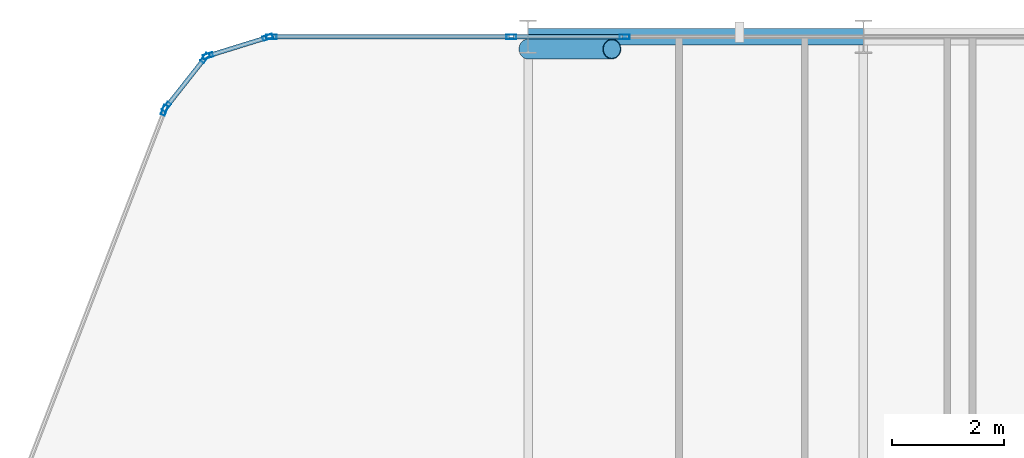
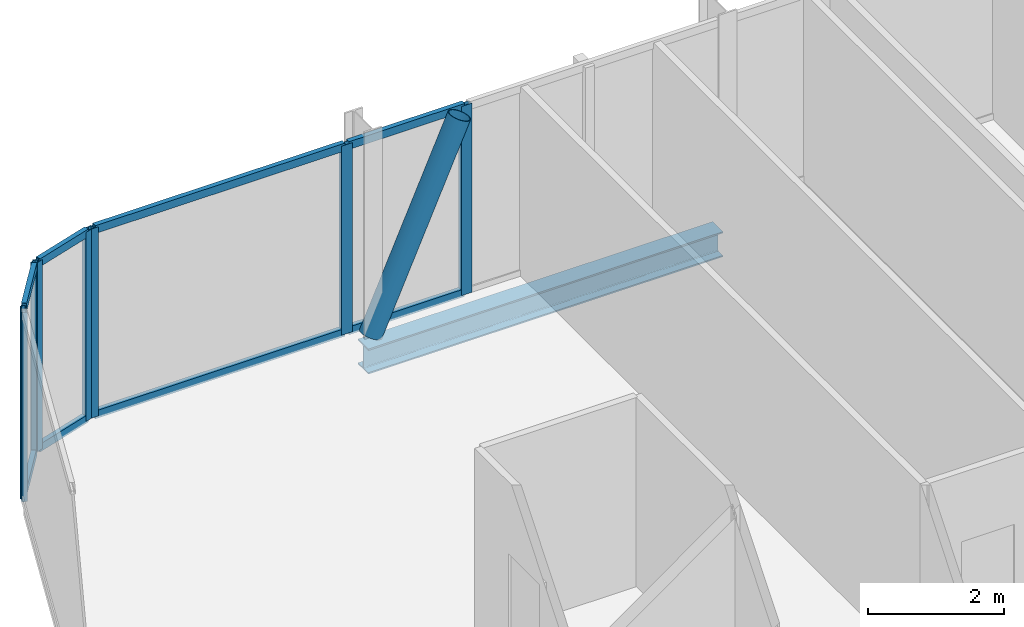
# One storey, part 16 of 29: 17 members, 1 beam, 5 elements without a shape of their own.
"""IFC4 building model written with IfcOpenShell, lengths in metres."""

from ifc_helpers import new_model, si_unit, direction, frame, origin, origin_2d, place, context, subcontext, project, spatial, hollow_rectangle, hollow_circle, i_section, extrude, material, layer, layer_set, material_profile, profile_set, type_object, element, aggregate, save


model = new_model("IFC4")

# Units and contexts
model_context = context("Model", 3, precision=1e-05, world=origin(), true_north=direction((0.0, 1.0)))
body_context = subcontext(model_context, "Body", "Model", "MODEL_VIEW")
ifc_project = project(units=[si_unit("LENGTHUNIT", "METRE"), si_unit("AREAUNIT", "SQUARE_METRE"), si_unit("VOLUMEUNIT", "CUBIC_METRE"), si_unit("PLANEANGLEUNIT", "RADIAN"), si_unit("MASSUNIT", "GRAM", prefix="KILO")], contexts=[model_context])

# Site, building, storey
site_placement = place(None, origin())
site = spatial("IfcSite", under=ifc_project, at=site_placement, CompositionType="ELEMENT")
building_placement = place(site_placement, origin())
building = spatial("IfcBuilding", under=site, at=building_placement, Name="Keshet Zoharim Tower", CompositionType="ELEMENT")
storey_placement = place(building_placement, frame((0.0, 0.0, 102.0)))
storey = spatial("IfcBuildingStorey", under=building, at=storey_placement, Name="L24", CompositionType="ELEMENT", Elevation=102.0)

# Beam
ifc_material_1 = material(Name="Steel S355", Category="steel")
ifc_material_profile_1 = material_profile(ifc_material_1, i_section(OverallWidth=0.300048828125, OverallDepth=0.449951171875, WebThickness=0.013916015625, FlangeThickness=0.02587890625, FilletRadius=0.027099609375, at=origin_2d()), Name="HEB450")
ifc_profile_set_1 = profile_set([ifc_material_profile_1], Name="Steel S355")
beam_type = type_object("IfcBeamType", Name="BM-WEB-HB450", PredefinedType="BEAM", material=ifc_profile_set_1)
beam_placement = place(storey_placement, frame((21.0, 53.89990234375, -0.5400390625), z_axis=(1.0, 0.0, 0.0), x_axis=(0.0, 1.0, 0.0)))
element("IfcBeam", 1, at=beam_placement, inside=storey, type_object=beam_type, Name="L24 Primary Girder X-019", PredefinedType="BEAM", context=body_context, shape_type="SweptSolid", body=[
    extrude(i_section(OverallWidth=0.300048828125, OverallDepth=0.449951171875, WebThickness=0.013916015625, FlangeThickness=0.02587890625, FilletRadius=0.027099609375, at=origin_2d()), origin(), (0.0, 0.0, 1.0), 6.0),
])

# Curtain wall, member
ifc_material_2 = material(Name="Aluminium 6063-T6", Category="aluminium")
ifc_layer = layer(ifc_material_2, 0.159912109375)
ifc_layer_set = layer_set([ifc_layer], Name="Aluminium 6063-T6")
curtain_wall_type = type_object("IfcCurtainWallType", Name="CW-SYS-03", PredefinedType="NOTDEFINED", material=ifc_layer_set)
curtain_wall_1_placement = place(storey_placement, origin())
curtain_wall_1 = element("IfcCurtainWall", 2, at=curtain_wall_1_placement, inside=storey, type_object=curtain_wall_type, Name="L24 Unitised Curtain Wall 10", PredefinedType="NOTDEFINED")
ifc_material_profile_2 = material_profile(ifc_material_2, hollow_rectangle(XDim=0.080078125, YDim=0.179931640625, WallThickness=0.00439453125, at=origin_2d()), Name="MUL-80x180")
ifc_profile_set_2 = profile_set([ifc_material_profile_2], Name="Aluminium 6063-T6")
member_type_1 = type_object("IfcMemberType", Name="CWM-M18", PredefinedType="MULLION", material=ifc_profile_set_2)
member_1_placement = place(storey_placement, frame((14.494384765625, 52.58544921875, 0.0), z_axis=(0.0, 0.0, 1.0), x_axis=(-0.933341404361, 0.358990003907, 0.0)))
member_1 = element("IfcMember", 3, at=member_1_placement, type_object=member_type_1, Name="CW-03 mullion 4", PredefinedType="MULLION", context=body_context, shape_type="SweptSolid", body=[
    extrude(hollow_rectangle(XDim=0.080078125, YDim=0.179931640625, WallThickness=0.00439453125, at=origin_2d()), origin(), (0.0, 0.0, 1.0), 3.385009765625),
])
aggregate(curtain_wall_1, [member_1])

# Curtain wall, members
curtain_wall_2_placement = place(storey_placement, origin())
curtain_wall_2 = element("IfcCurtainWall", 4, at=curtain_wall_2_placement, inside=storey, type_object=curtain_wall_type, Name="L24 Unitised Curtain Wall 11", PredefinedType="NOTDEFINED")
member_2_placement = place(storey_placement, frame((14.528564453125, 52.6455078125, 0.0), z_axis=(0.0, 0.0, 1.0), x_axis=(-0.785292825205, 0.619124525989, 0.0)))
member_2 = element("IfcMember", 5, at=member_2_placement, type_object=member_type_1, Name="CW-03 mullion 1", PredefinedType="MULLION", context=body_context, shape_type="SweptSolid", body=[
    extrude(hollow_rectangle(XDim=0.080078125, YDim=0.179931640625, WallThickness=0.00439453125, at=origin_2d()), origin(), (0.0, 0.0, 1.0), 3.385009765625),
])
member_3_placement = place(storey_placement, frame((15.21923828125, 53.521484375, 0.0), z_axis=(0.0, 0.0, 1.0), x_axis=(-0.785292825205, 0.619124525989, 0.0)))
member_3 = element("IfcMember", 6, at=member_3_placement, type_object=member_type_1, Name="CW-03 mullion 2", PredefinedType="MULLION", context=body_context, shape_type="SweptSolid", body=[
    extrude(hollow_rectangle(XDim=0.080078125, YDim=0.179931640625, WallThickness=0.00439453125, at=origin_2d()), origin(), (0.0, 0.0, 1.0), 3.385009765625),
])

curtain_wall_3_placement = place(storey_placement, origin())
curtain_wall_3 = element("IfcCurtainWall", 7, at=curtain_wall_3_placement, inside=storey, type_object=curtain_wall_type, Name="L24 Unitised Curtain Wall 12", PredefinedType="NOTDEFINED")
member_4_placement = place(storey_placement, frame((15.2744140625, 53.559326171875, 0.0), z_axis=(0.0, 0.0, 1.0), x_axis=(-0.295921857984, 0.955212151288, 0.0)))
member_4 = element("IfcMember", 8, at=member_4_placement, type_object=member_type_1, Name="CW-03 mullion 1", PredefinedType="MULLION", context=body_context, shape_type="SweptSolid", body=[
    extrude(hollow_rectangle(XDim=0.080078125, YDim=0.179931640625, WallThickness=0.00439453125, at=origin_2d()), origin(), (0.0, 0.0, 1.0), 3.385009765625),
])
member_5_placement = place(storey_placement, frame((16.340576171875, 53.8896484375, 0.0), z_axis=(0.0, 0.0, 1.0), x_axis=(-0.295921857984, 0.955212151288, 0.0)))
member_5 = element("IfcMember", 9, at=member_5_placement, type_object=member_type_1, Name="CW-03 mullion 2", PredefinedType="MULLION", context=body_context, shape_type="SweptSolid", body=[
    extrude(hollow_rectangle(XDim=0.080078125, YDim=0.179931640625, WallThickness=0.00439453125, at=origin_2d()), origin(), (0.0, 0.0, 1.0), 3.385009765625),
])

curtain_wall_4_placement = place(storey_placement, origin())
curtain_wall_4 = element("IfcCurtainWall", 10, at=curtain_wall_4_placement, inside=storey, type_object=curtain_wall_type, Name="L24 Unitised Curtain Wall 13", PredefinedType="NOTDEFINED")
member_6_placement = place(storey_placement, frame((16.408935546875, 53.89990234375, 0.0), z_axis=(0.0, 0.0, 1.0), x_axis=(0.0, 1.0, 0.0)))
member_6 = element("IfcMember", 11, at=member_6_placement, type_object=member_type_1, Name="CW-03 mullion 1", PredefinedType="MULLION", context=body_context, shape_type="SweptSolid", body=[
    extrude(hollow_rectangle(XDim=0.080078125, YDim=0.179931640625, WallThickness=0.00439453125, at=origin_2d()), origin(), (0.0, 0.0, 1.0), 3.385009765625),
])
member_7_placement = place(storey_placement, frame((20.702392578125, 53.89990234375, 0.0), z_axis=(0.0, 0.0, 1.0), x_axis=(0.0, 1.0, 0.0)))
member_7 = element("IfcMember", 12, at=member_7_placement, type_object=member_type_1, Name="CW-03 mullion 2", PredefinedType="MULLION", context=body_context, shape_type="SweptSolid", body=[
    extrude(hollow_rectangle(XDim=0.080078125, YDim=0.179931640625, WallThickness=0.00439453125, at=origin_2d()), origin(), (0.0, 0.0, 1.0), 3.385009765625),
])

# Curtain wall, member
curtain_wall_5_placement = place(storey_placement, origin())
curtain_wall_5 = element("IfcCurtainWall", 13, at=curtain_wall_5_placement, inside=storey, type_object=curtain_wall_type, Name="L24 Unitised Curtain Wall 13 Part 2", PredefinedType="NOTDEFINED")
member_8_placement = place(storey_placement, frame((22.7275390625, 53.89990234375, 0.0), z_axis=(0.0, 0.0, 1.0), x_axis=(0.0, 1.0, 0.0)))
member_8 = element("IfcMember", 14, at=member_8_placement, type_object=member_type_1, Name="CW-03 mullion 2", PredefinedType="MULLION", context=body_context, shape_type="SweptSolid", body=[
    extrude(hollow_rectangle(XDim=0.080078125, YDim=0.179931640625, WallThickness=0.00439453125, at=origin_2d()), origin(), (0.0, 0.0, 1.0), 3.385009765625),
])

# Member
ifc_material_profile_3 = material_profile(ifc_material_2, hollow_rectangle(XDim=0.080078125, YDim=0.139892578125, WallThickness=0.00390625, at=origin_2d()), Name="TRN-80x140")
ifc_profile_set_3 = profile_set([ifc_material_profile_3], Name="Aluminium 6063-T6")
member_type_2 = type_object("IfcMemberType", Name="CWT-T14", PredefinedType="USERDEFINED", material=ifc_profile_set_3)
member_9_placement = place(storey_placement, frame((14.55029296875, 52.6728515625, 0.034912109375), z_axis=(0.619099165969, 0.78531281837, 0.0), x_axis=(-0.78531281837, 0.619099165969, 0.0)))
member_9 = element("IfcMember", 15, at=member_9_placement, type_object=member_type_2, Name="CW-03 transom 1.1", ObjectType="TRANSOM", PredefinedType="USERDEFINED", context=body_context, shape_type="SweptSolid", body=[
    extrude(hollow_rectangle(XDim=0.080078125, YDim=0.139892578125, WallThickness=0.00390625, at=origin_2d()), origin(), (0.0, 0.0, 1.0), 1.0458984375),
])

member_10_placement = place(storey_placement, frame((14.55029296875, 52.6728515625, 3.35009765625), z_axis=(0.619099165969, 0.78531281837, 0.0), x_axis=(-0.78531281837, 0.619099165969, 0.0)))
member_10 = element("IfcMember", 16, at=member_10_placement, type_object=member_type_2, Name="CW-03 transom 1.2", ObjectType="TRANSOM", PredefinedType="USERDEFINED", context=body_context, shape_type="SweptSolid", body=[
    extrude(hollow_rectangle(XDim=0.080078125, YDim=0.139892578125, WallThickness=0.00390625, at=origin_2d()), origin(), (0.0, 0.0, 1.0), 1.0458984375),
])

aggregate(curtain_wall_2, [member_2, member_3, member_9, member_10])

member_11_placement = place(storey_placement, frame((15.307861328125, 53.56982421875, 0.034912109375), z_axis=(0.955212093062, 0.295922045933, 0.0), x_axis=(-0.295922045933, 0.955212093062, 0.0)))
member_11 = element("IfcMember", 17, at=member_11_placement, type_object=member_type_2, Name="CW-03 transom 1.1", ObjectType="TRANSOM", PredefinedType="USERDEFINED", context=body_context, shape_type="SweptSolid", body=[
    extrude(hollow_rectangle(XDim=0.080078125, YDim=0.139892578125, WallThickness=0.00390625, at=origin_2d()), origin(), (0.0, 0.0, 1.0), 1.046142578125),
])

member_12_placement = place(storey_placement, frame((15.307861328125, 53.56982421875, 3.35009765625), z_axis=(0.955212093062, 0.295922045933, 0.0), x_axis=(-0.295922045933, 0.955212093062, 0.0)))
member_12 = element("IfcMember", 18, at=member_12_placement, type_object=member_type_2, Name="CW-03 transom 1.2", ObjectType="TRANSOM", PredefinedType="USERDEFINED", context=body_context, shape_type="SweptSolid", body=[
    extrude(hollow_rectangle(XDim=0.080078125, YDim=0.139892578125, WallThickness=0.00390625, at=origin_2d()), origin(), (0.0, 0.0, 1.0), 1.046142578125),
])

aggregate(curtain_wall_3, [member_4, member_5, member_11, member_12])

member_13_placement = place(storey_placement, frame((16.444091796875, 53.89990234375, 0.034912109375), z_axis=(1.0, 0.0, 0.0), x_axis=(0.0, 1.0, 0.0)))
member_13 = element("IfcMember", 19, at=member_13_placement, type_object=member_type_2, Name="CW-03 transom 1.1", ObjectType="TRANSOM", PredefinedType="USERDEFINED", context=body_context, shape_type="SweptSolid", body=[
    extrude(hollow_rectangle(XDim=0.080078125, YDim=0.139892578125, WallThickness=0.00390625, at=origin_2d()), origin(), (0.0, 0.0, 1.0), 4.223388671875),
])

member_14_placement = place(storey_placement, frame((16.444091796875, 53.89990234375, 3.35009765625), z_axis=(1.0, 0.0, 0.0), x_axis=(0.0, 1.0, 0.0)))
member_14 = element("IfcMember", 20, at=member_14_placement, type_object=member_type_2, Name="CW-03 transom 1.2", ObjectType="TRANSOM", PredefinedType="USERDEFINED", context=body_context, shape_type="SweptSolid", body=[
    extrude(hollow_rectangle(XDim=0.080078125, YDim=0.139892578125, WallThickness=0.00390625, at=origin_2d()), origin(), (0.0, 0.0, 1.0), 4.223388671875),
])

aggregate(curtain_wall_4, [member_6, member_7, member_13, member_14])

member_15_placement = place(storey_placement, frame((20.7373046875, 53.89990234375, 0.034912109375), z_axis=(1.0, 0.0, 0.0), x_axis=(0.0, 1.0, 0.0)))
member_15 = element("IfcMember", 21, at=member_15_placement, type_object=member_type_2, Name="CW-03 transom 1.1", ObjectType="TRANSOM", PredefinedType="USERDEFINED", context=body_context, shape_type="SweptSolid", body=[
    extrude(hollow_rectangle(XDim=0.080078125, YDim=0.139892578125, WallThickness=0.00390625, at=origin_2d()), origin(), (0.0, 0.0, 1.0), 1.955322265625),
])

member_16_placement = place(storey_placement, frame((20.7373046875, 53.89990234375, 3.35009765625), z_axis=(1.0, 0.0, 0.0), x_axis=(0.0, 1.0, 0.0)))
member_16 = element("IfcMember", 22, at=member_16_placement, type_object=member_type_2, Name="CW-03 transom 1.2", ObjectType="TRANSOM", PredefinedType="USERDEFINED", context=body_context, shape_type="SweptSolid", body=[
    extrude(hollow_rectangle(XDim=0.080078125, YDim=0.139892578125, WallThickness=0.00390625, at=origin_2d()), origin(), (0.0, 0.0, 1.0), 1.955322265625),
])

aggregate(curtain_wall_5, [member_8, member_15, member_16])

ifc_material_profile_4 = material_profile(ifc_material_1, hollow_circle(Radius=0.177734375, WallThickness=0.012451171875, at=origin_2d()), Name="CHS355x12.5")
ifc_profile_set_4 = profile_set([ifc_material_profile_4], Name="Steel S355")
member_type_3 = type_object("IfcMemberType", Name="MB-BR-C355", PredefinedType="BRACE", material=ifc_profile_set_4)
member_17_placement = place(storey_placement, frame((21.0, 53.679931640625, 0.0), z_axis=(0.405134846829, 0.0, 0.91425694194), x_axis=(0.0, 1.0, 0.0)))
element("IfcMember", 23, at=member_17_placement, inside=storey, type_object=member_type_3, Name="L24 Perimeter Tube Brace 02", PredefinedType="BRACE", context=body_context, shape_type="SweptSolid", body=[
    extrude(hollow_circle(Radius=0.177734375, WallThickness=0.012451171875, at=origin_2d()), origin(), (0.0, 0.0, 1.0), 3.702392578125),
])

save(model, "model.ifc")
